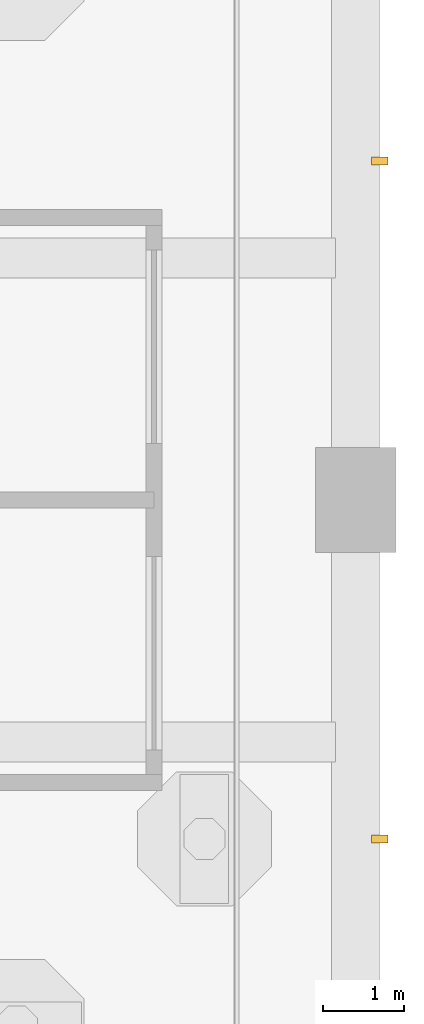
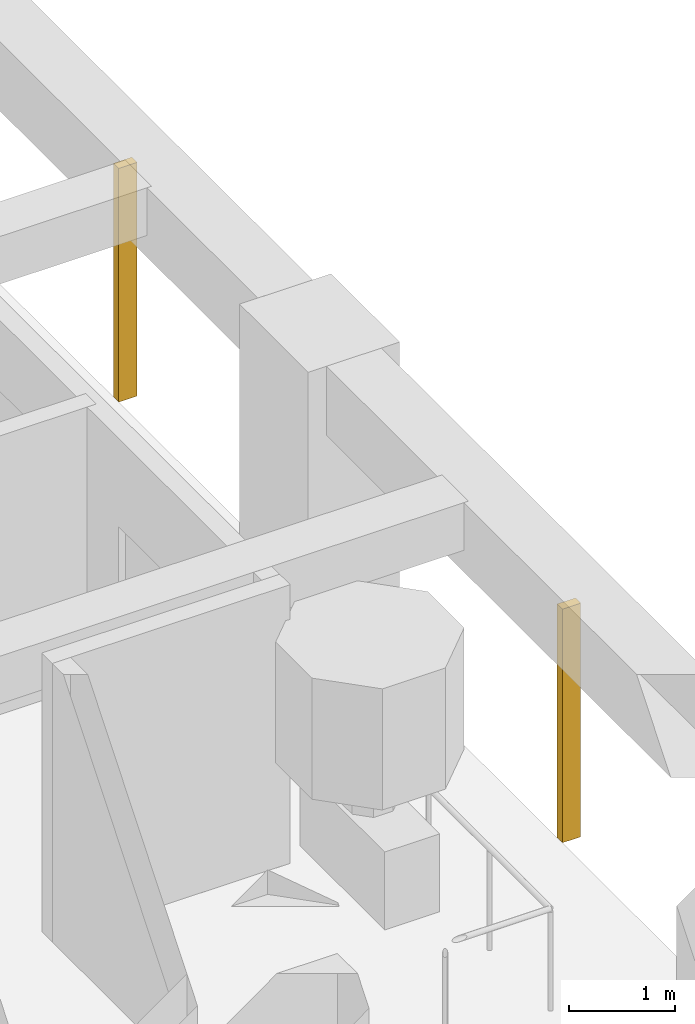
# One storey, part 16 of 19: 2 shading devices.
"""IFC4 building model written with IfcOpenShell, lengths in metres."""

from ifc_helpers import new_model, si_unit, direction, frame, origin, origin_2d, place, context, subcontext, project, spatial, rectangle, extrude, material, material_profile, profile_set, type_object, element, save


model = new_model("IFC4")

# Units and contexts
model_context = context("Model", 3, precision=1e-05, world=origin(), true_north=direction((0.0, 1.0)))
body_context = subcontext(model_context, "Body", "Model", "MODEL_VIEW")
ifc_project = project(units=[si_unit("LENGTHUNIT", "METRE"), si_unit("AREAUNIT", "SQUARE_METRE"), si_unit("VOLUMEUNIT", "CUBIC_METRE"), si_unit("PLANEANGLEUNIT", "RADIAN"), si_unit("MASSUNIT", "GRAM", prefix="KILO")], contexts=[model_context])

# Site, building, storey
site_placement = place(None, origin())
site = spatial("IfcSite", under=ifc_project, at=site_placement, CompositionType="ELEMENT")
building_placement = place(site_placement, origin())
building = spatial("IfcBuilding", under=site, at=building_placement, Name="Vermilion Gate Residences", CompositionType="ELEMENT")
storey_placement = place(building_placement, frame((0.0, 0.0, 123.199951171875)))
storey = spatial("IfcBuildingStorey", under=building, at=storey_placement, Name="L31", CompositionType="ELEMENT", Elevation=123.199951171875)

# Shading devices
ifc_material = material(Name="Extruded terracotta", Category="masonry")
ifc_material_profile = material_profile(ifc_material, rectangle(XDim=0.199951171875, YDim=0.10009765625, at=origin_2d()), Name="BAGUETTE 100 X 200")
ifc_profile_set = profile_set([ifc_material_profile], Name="Extruded terracotta")
shading_device_type = type_object("IfcShadingDeviceType", Name="TERRACOTTA BAGUETTE 100 X 200", PredefinedType="JALOUSIE", material=ifc_profile_set)
for number, where, z_axis, x_axis, name in (
    (1, (67.5, 12.60009765625, -0.280029296875), (0.0, 0.0, 1.0), (-1.0, 0.0, 0.0), "BAGUETTE"),
    (2, (67.5, 21.0, -0.280029296875), (0.0, 0.0, 1.0), (-1.0, 0.0, 0.0), "BAGUETTE"),
):
    element("IfcShadingDevice", number, at=place(storey_placement, frame(where, z_axis=z_axis, x_axis=x_axis)), inside=storey, type_object=shading_device_type, Name=name, PredefinedType="JALOUSIE", context=body_context, shape_type="SweptSolid", body=[
        extrude(rectangle(XDim=0.199951171875, YDim=0.10009765625, at=origin_2d()), origin(), (0.0, 0.0, 1.0), 2.7001953125),
    ])

save(model, "model.ifc")
